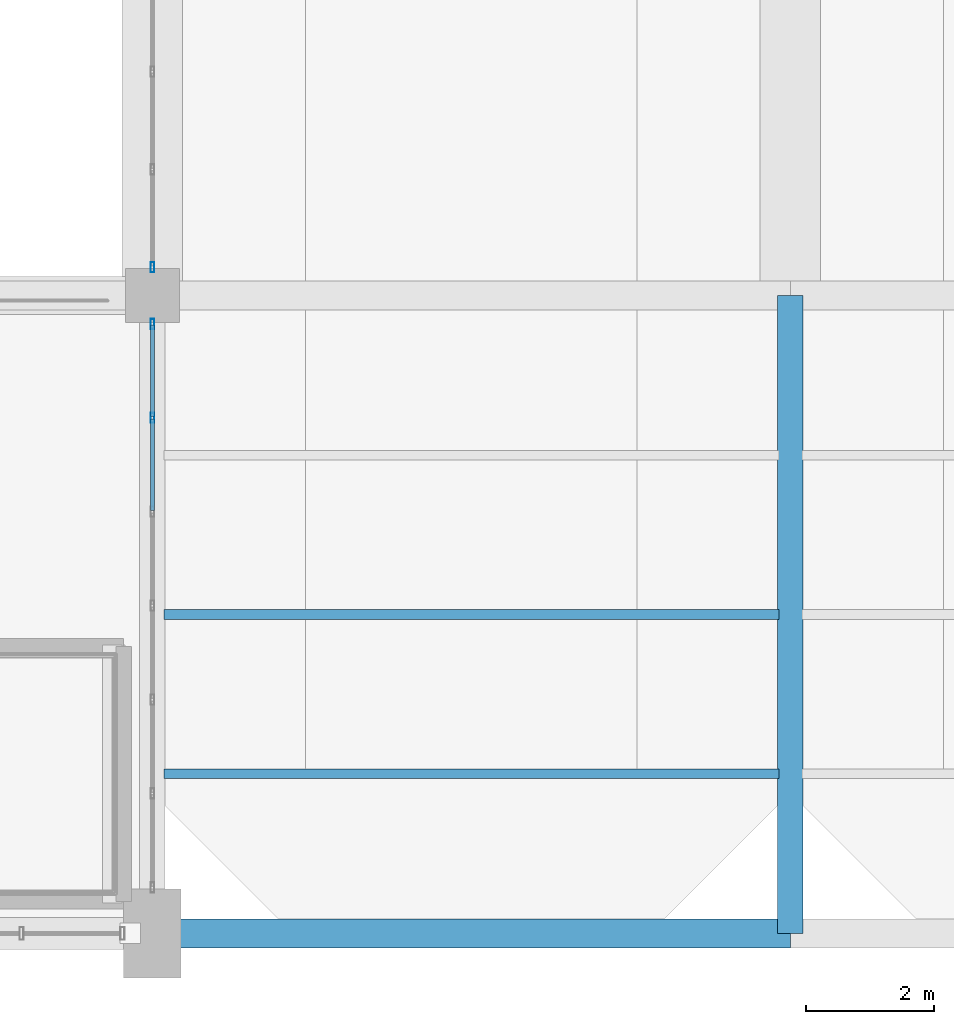
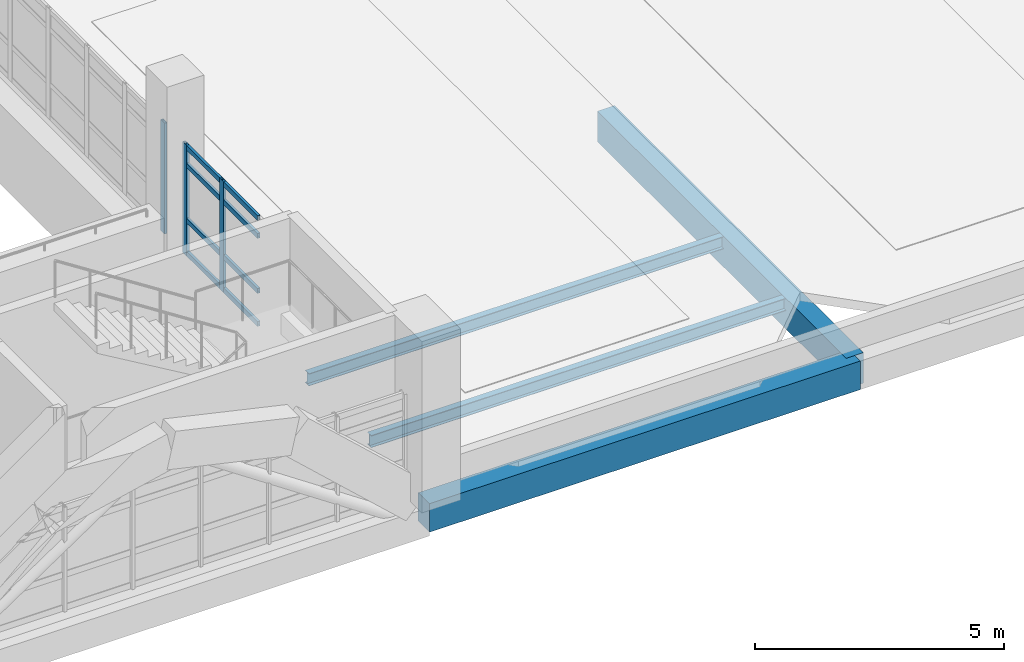
# One storey, part 40 of 161: 13 members, 2 beams, 2 elements without a shape of their own.
"""IFC4 building model written with IfcOpenShell, lengths in metres."""

from ifc_helpers import new_model, si_unit, direction, frame, origin, origin_2d, place, context, subcontext, project, spatial, rectangle, hollow_rectangle, i_section, extrude, material, layer, layer_set, material_profile, profile_set, type_object, element, aggregate, save


model = new_model("IFC4")

# Units and contexts
model_context = context("Model", 3, precision=1e-05, world=origin(), true_north=direction((0.0, 1.0)))
body_context = subcontext(model_context, "Body", "Model", "MODEL_VIEW")
ifc_project = project(units=[si_unit("LENGTHUNIT", "METRE"), si_unit("AREAUNIT", "SQUARE_METRE"), si_unit("VOLUMEUNIT", "CUBIC_METRE"), si_unit("PLANEANGLEUNIT", "RADIAN"), si_unit("MASSUNIT", "GRAM", prefix="KILO")], contexts=[model_context])

# Site, building, storey
site_placement = place(None, origin())
site = spatial("IfcSite", under=ifc_project, at=site_placement, CompositionType="ELEMENT")
building_placement = place(site_placement, origin())
building = spatial("IfcBuilding", under=site, at=building_placement, Name="Mersad Railyard Sports Hall", CompositionType="ELEMENT")
storey_placement = place(building_placement, frame((0.0, 0.0, 4.800048828125)))
storey = spatial("IfcBuildingStorey", under=building, at=storey_placement, Name="L01", CompositionType="ELEMENT", Elevation=4.800048828125)

# Curtain wall, members
ifc_material_1 = material(Name="Aluminium 6063-T6", Category="aluminium")
ifc_layer_1 = layer(ifc_material_1, 0.159912109375)
ifc_layer_set_1 = layer_set([ifc_layer_1], Name="Aluminium 6063-T6")
curtain_wall_type_1 = type_object("IfcCurtainWallType", Name="ARC-CW-CW03", PredefinedType="USERDEFINED", material=ifc_layer_set_1)
curtain_wall_1_placement = place(storey_placement, origin())
curtain_wall_1 = element("IfcCurtainWall", 1, at=curtain_wall_1_placement, inside=storey, type_object=curtain_wall_type_1, Name="Curtain wall CW03-0026", ObjectType="CURTAIN WALL", PredefinedType="USERDEFINED")
ifc_material_profile_1 = material_profile(ifc_material_1, hollow_rectangle(XDim=0.06005859375, YDim=0.159912109375, WallThickness=0.00390625, at=origin_2d()), Name="AL MULLION 60x160x4")
ifc_profile_set_1 = profile_set([ifc_material_profile_1], Name="Aluminium 6063-T6")
member_type_1 = type_object("IfcMemberType", Name="ARC-CW-MUL01", PredefinedType="MULLION", material=ifc_profile_set_1)
member_1_placement = place(storey_placement, frame((91.0, 13.054931640625, -0.02001953125), z_axis=(0.0, 0.0, 1.0), x_axis=(1.0, 0.0, 0.0)))
member_1 = element("IfcMember", 2, at=member_1_placement, type_object=member_type_1, Name="CW03 Mullion 1", PredefinedType="MULLION", context=body_context, shape_type="SweptSolid", body=[
    extrude(hollow_rectangle(XDim=0.06005859375, YDim=0.159912109375, WallThickness=0.00390625, at=origin_2d()), origin(), (0.0, 0.0, 1.0), 2.719970703125),
])
member_2_placement = place(storey_placement, frame((91.0, 11.58251953125, -0.02001953125), z_axis=(0.0, 0.0, 1.0), x_axis=(1.0, 0.0, 0.0)))
member_2 = element("IfcMember", 3, at=member_2_placement, type_object=member_type_1, Name="CW03 Mullion 2", PredefinedType="MULLION", context=body_context, shape_type="SweptSolid", body=[
    extrude(hollow_rectangle(XDim=0.06005859375, YDim=0.159912109375, WallThickness=0.00390625, at=origin_2d()), origin(), (0.0, 0.0, 1.0), 2.719970703125),
])

# Curtain wall, member
ifc_layer_2 = layer(ifc_material_1, 0.159912109375)
ifc_layer_set_2 = layer_set([ifc_layer_2], Name="Aluminium 6063-T6")
curtain_wall_type_2 = type_object("IfcCurtainWallType", Name="ARC-CW-CW05", PredefinedType="USERDEFINED", material=ifc_layer_set_2)
curtain_wall_2_placement = place(storey_placement, origin())
curtain_wall_2 = element("IfcCurtainWall", 4, at=curtain_wall_2_placement, inside=storey, type_object=curtain_wall_type_2, Name="Curtain wall CW05-0027", ObjectType="CURTAIN WALL", PredefinedType="USERDEFINED")
member_3_placement = place(storey_placement, frame((91.0, 13.945068359375, -0.02001953125), z_axis=(0.0, 0.0, 1.0), x_axis=(1.0, 0.0, 0.0)))
member_3 = element("IfcMember", 5, at=member_3_placement, type_object=member_type_1, Name="CW05 Mullion 20", PredefinedType="MULLION", context=body_context, shape_type="SweptSolid", body=[
    extrude(hollow_rectangle(XDim=0.06005859375, YDim=0.159912109375, WallThickness=0.00390625, at=origin_2d()), origin(), (0.0, 0.0, 1.0), 2.719970703125),
])
aggregate(curtain_wall_2, [member_3])

# Member
ifc_material_profile_2 = material_profile(ifc_material_1, hollow_rectangle(XDim=0.06005859375, YDim=0.1201171875, WallThickness=0.00390625, at=origin_2d()), Name="AL TRANSOM 60x120x4")
ifc_profile_set_2 = profile_set([ifc_material_profile_2], Name="Aluminium 6063-T6")
member_type_2 = type_object("IfcMemberType", Name="ARC-CW-TRN01", PredefinedType="USERDEFINED", material=ifc_profile_set_2)
member_4_placement = place(storey_placement, frame((91.0, 13.034912109375, 0.0400390625), z_axis=(0.0, -1.0, 0.0), x_axis=(1.0, 0.0, 0.0)))
member_4 = element("IfcMember", 6, at=member_4_placement, type_object=member_type_2, Name="CW03 Transom 1-1", ObjectType="TRANSOM", PredefinedType="USERDEFINED", context=body_context, shape_type="SweptSolid", body=[
    extrude(hollow_rectangle(XDim=0.06005859375, YDim=0.1201171875, WallThickness=0.00390625, at=origin_2d()), origin(), (0.0, 0.0, 1.0), 1.432373046875),
])

member_5_placement = place(storey_placement, frame((91.0, 11.5625, 0.0400390625), z_axis=(0.0, -1.0, 0.0), x_axis=(1.0, 0.0, 0.0)))
member_5 = element("IfcMember", 7, at=member_5_placement, type_object=member_type_2, Name="CW03 Transom 1-2", ObjectType="TRANSOM", PredefinedType="USERDEFINED", context=body_context, shape_type="SweptSolid", body=[
    extrude(hollow_rectangle(XDim=0.06005859375, YDim=0.1201171875, WallThickness=0.00390625, at=origin_2d()), origin(), (0.0, 0.0, 1.0), 1.4326171875),
])

member_6_placement = place(storey_placement, frame((91.0, 13.034912109375, 0.849853515625), z_axis=(0.0, -1.0, 0.0), x_axis=(1.0, 0.0, 0.0)))
member_6 = element("IfcMember", 8, at=member_6_placement, type_object=member_type_2, Name="CW03 Transom 2-1", ObjectType="TRANSOM", PredefinedType="USERDEFINED", context=body_context, shape_type="SweptSolid", body=[
    extrude(hollow_rectangle(XDim=0.06005859375, YDim=0.1201171875, WallThickness=0.00390625, at=origin_2d()), origin(), (0.0, 0.0, 1.0), 1.432373046875),
])

member_7_placement = place(storey_placement, frame((91.0, 11.5625, 0.849853515625), z_axis=(0.0, -1.0, 0.0), x_axis=(1.0, 0.0, 0.0)))
member_7 = element("IfcMember", 9, at=member_7_placement, type_object=member_type_2, Name="CW03 Transom 2-2", ObjectType="TRANSOM", PredefinedType="USERDEFINED", context=body_context, shape_type="SweptSolid", body=[
    extrude(hollow_rectangle(XDim=0.06005859375, YDim=0.1201171875, WallThickness=0.00390625, at=origin_2d()), origin(), (0.0, 0.0, 1.0), 1.4326171875),
])

member_8_placement = place(storey_placement, frame((91.0, 13.034912109375, 2.199951171875), z_axis=(0.0, -1.0, 0.0), x_axis=(1.0, 0.0, 0.0)))
member_8 = element("IfcMember", 10, at=member_8_placement, type_object=member_type_2, Name="CW03 Transom 3-1", ObjectType="TRANSOM", PredefinedType="USERDEFINED", context=body_context, shape_type="SweptSolid", body=[
    extrude(hollow_rectangle(XDim=0.06005859375, YDim=0.1201171875, WallThickness=0.00390625, at=origin_2d()), origin(), (0.0, 0.0, 1.0), 1.432373046875),
])

member_9_placement = place(storey_placement, frame((91.0, 11.5625, 2.199951171875), z_axis=(0.0, -1.0, 0.0), x_axis=(1.0, 0.0, 0.0)))
member_9 = element("IfcMember", 11, at=member_9_placement, type_object=member_type_2, Name="CW03 Transom 3-2", ObjectType="TRANSOM", PredefinedType="USERDEFINED", context=body_context, shape_type="SweptSolid", body=[
    extrude(hollow_rectangle(XDim=0.06005859375, YDim=0.1201171875, WallThickness=0.00390625, at=origin_2d()), origin(), (0.0, 0.0, 1.0), 1.4326171875),
])

member_10_placement = place(storey_placement, frame((91.0, 13.034912109375, 2.639892578125), z_axis=(0.0, -1.0, 0.0), x_axis=(1.0, 0.0, 0.0)))
member_10 = element("IfcMember", 12, at=member_10_placement, type_object=member_type_2, Name="CW03 Transom 4-1", ObjectType="TRANSOM", PredefinedType="USERDEFINED", context=body_context, shape_type="SweptSolid", body=[
    extrude(hollow_rectangle(XDim=0.06005859375, YDim=0.1201171875, WallThickness=0.00390625, at=origin_2d()), origin(), (0.0, 0.0, 1.0), 1.432373046875),
])

member_11_placement = place(storey_placement, frame((91.0, 11.5625, 2.639892578125), z_axis=(0.0, -1.0, 0.0), x_axis=(1.0, 0.0, 0.0)))
member_11 = element("IfcMember", 13, at=member_11_placement, type_object=member_type_2, Name="CW03 Transom 4-2", ObjectType="TRANSOM", PredefinedType="USERDEFINED", context=body_context, shape_type="SweptSolid", body=[
    extrude(hollow_rectangle(XDim=0.06005859375, YDim=0.1201171875, WallThickness=0.00390625, at=origin_2d()), origin(), (0.0, 0.0, 1.0), 1.4326171875),
])

aggregate(curtain_wall_1, [member_1, member_2, member_4, member_5, member_6, member_7, member_8, member_9, member_10, member_11])

# Beams
ifc_material_2 = material(Name="Concrete C40/50", Category="concrete")
ifc_material_profile_3 = material_profile(ifc_material_2, rectangle(XDim=0.39990234375, YDim=0.75, at=origin_2d()), Name="RC 400x750")
ifc_profile_set_3 = profile_set([ifc_material_profile_3], Name="Concrete C40/50")
beam_type_1 = type_object("IfcBeamType", Name="STR-BM-B01", PredefinedType="BEAM", material=ifc_profile_set_3)
beam_1_placement = place(storey_placement, frame((101.0, 3.5, -0.594970703125), z_axis=(0.0, 1.0, 0.0), x_axis=(-1.0, 0.0, 0.0)))
element("IfcBeam", 14, at=beam_1_placement, inside=storey, type_object=beam_type_1, Name="Beam B01-0597", PredefinedType="BEAM", context=body_context, shape_type="SweptSolid", body=[
    extrude(rectangle(XDim=0.39990234375, YDim=0.75, at=origin_2d()), origin(), (0.0, 0.0, 1.0), 10.0),
])
ifc_material_3 = material(Name="Architectural concrete C40/50", Category="concrete")
ifc_material_profile_4 = material_profile(ifc_material_3, rectangle(XDim=0.449951171875, YDim=0.699951171875, at=origin_2d()), Name="RC 450x700")
ifc_profile_set_4 = profile_set([ifc_material_profile_4], Name="Architectural concrete C40/50")
beam_type_2 = type_object("IfcBeamType", Name="STR-BM-SP01", PredefinedType="SPANDREL", material=ifc_profile_set_4)
beam_2_placement = place(storey_placement, frame((91.0, 3.5, -0.570068359375), z_axis=(1.0, 0.0, 0.0), x_axis=(0.0, 1.0, 0.0)))
element("IfcBeam", 15, at=beam_2_placement, inside=storey, type_object=beam_type_2, Name="Beam SP01-0589", PredefinedType="SPANDREL", context=body_context, shape_type="SweptSolid", body=[
    extrude(rectangle(XDim=0.449951171875, YDim=0.699951171875, at=origin_2d()), origin(), (0.0, 0.0, 1.0), 10.0),
])

# Members
ifc_material_4 = material(Name="Steel S355", Category="steel")
ifc_material_profile_5 = material_profile(ifc_material_4, i_section(OverallWidth=0.14990234375, OverallDepth=0.300048828125, WebThickness=0.007080078125, FlangeThickness=0.0107421875, at=origin_2d()), Name="IPE 300")
ifc_profile_set_5 = profile_set([ifc_material_profile_5], Name="Steel S355")
member_type_3 = type_object("IfcMemberType", Name="STR-MEM-PU02", PredefinedType="PURLIN", material=ifc_profile_set_5)
for number, where, z_axis, x_axis, name in (
    (16, (91.179931640625, 6.0, -0.3701171875), (1.0, 0.0, 0.0), (0.0, 1.0, 0.0), "Structural member PU02-0372"),
    (17, (91.179931640625, 8.5, -0.3701171875), (1.0, 0.0, 0.0), (0.0, 1.0, 0.0), "Structural member PU02-0373"),
):
    element("IfcMember", number, at=place(storey_placement, frame(where, z_axis=z_axis, x_axis=x_axis)), inside=storey, type_object=member_type_3, Name=name, PredefinedType="PURLIN", context=body_context, shape_type="SweptSolid", body=[
        extrude(i_section(OverallWidth=0.14990234375, OverallDepth=0.300048828125, WebThickness=0.007080078125, FlangeThickness=0.0107421875, at=origin_2d()), origin(), (0.0, 0.0, 1.0), 9.64013671875),
    ])

save(model, "model.ifc")
